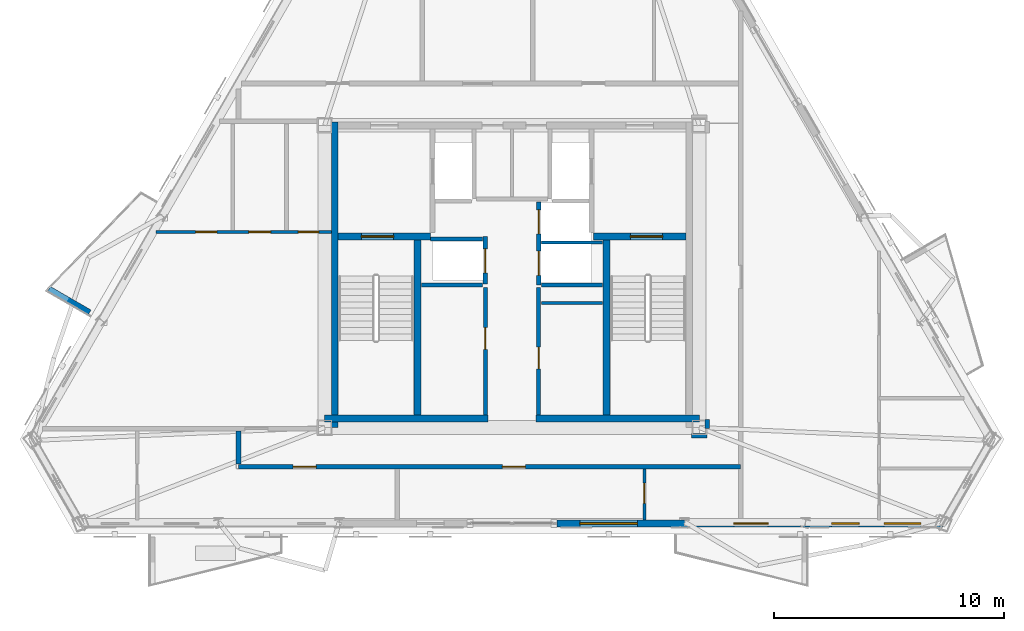
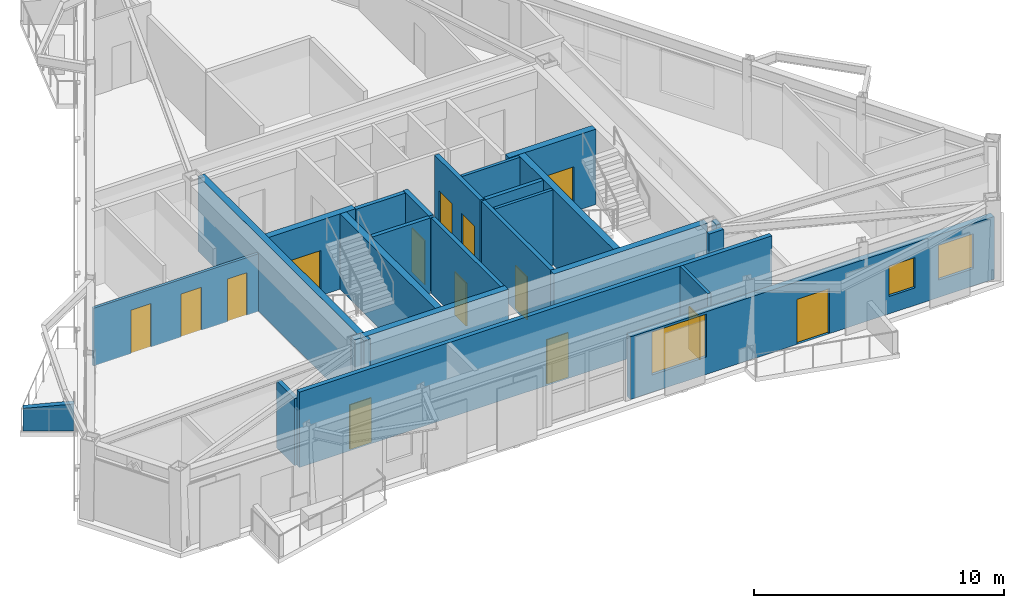
# One storey, part 8 of 15: 24 walls, 14 doors, 3 windows, 17 openings.
"""IFC4 building model written with IfcOpenShell, lengths in metres."""

from ifc_helpers import new_model, si_unit, direction, frame, frame_2d, origin, place, context, subcontext, project, spatial, polyline, rectangle, outline, extrude, material, layer, layer_set, type_object, element, fill, save


model = new_model("IFC4")

# Units and contexts
model_context = context("Model", 3, precision=1e-05, world=origin(), true_north=direction((0.0, 1.0)))
body_context = subcontext(model_context, "Body", "Model", "MODEL_VIEW")
ifc_project = project(units=[si_unit("LENGTHUNIT", "METRE"), si_unit("AREAUNIT", "SQUARE_METRE"), si_unit("VOLUMEUNIT", "CUBIC_METRE"), si_unit("PLANEANGLEUNIT", "RADIAN"), si_unit("MASSUNIT", "GRAM", prefix="KILO")], contexts=[model_context])

# Site, building, storey
site_placement = place(None, origin())
site = spatial("IfcSite", under=ifc_project, at=site_placement, CompositionType="ELEMENT")
building_placement = place(site_placement, origin())
building = spatial("IfcBuilding", under=site, at=building_placement, Name="Oramaril Tower", CompositionType="ELEMENT")
storey_placement = place(building_placement, frame((0.0, 0.0, 288.89990234375)))
storey = spatial("IfcBuildingStorey", under=building, at=storey_placement, Name="L76", CompositionType="ELEMENT", Elevation=288.89990234375)

# Wall, openings, door, windows
ifc_material_1 = material(Name="Warm Cream Limestone", Category="masonry")
ifc_layer_1 = layer(ifc_material_1, 0.2900390625)
ifc_layer_set_1 = layer_set([ifc_layer_1], Name="WT-EXT29")
wall_type_1 = type_object("IfcWallType", Name="WT-EXT29", PredefinedType="SOLIDWALL", material=ifc_layer_set_1)
wall_1_placement = place(storey_placement, frame((39.449951171875, 6.827392578125, 0.0), z_axis=(0.0, 0.0, 1.0), x_axis=(1.0, 0.0, 0.0)))
wall_1 = element("IfcWall", 1, at=wall_1_placement, inside=storey, type_object=wall_type_1, Name="L76 Tower Limestone Facade Wall 2R", PredefinedType="SOLIDWALL", context=body_context, shape_type="SweptSolid", body=[
    extrude(rectangle(XDim=16.81298828125, YDim=0.2900390625, at=frame_2d((8.406494140625, 0.0))), origin(), (0.0, 0.0, 1.0), 3.05810546875),
])
opening_1_placement = place(wall_1_placement, frame((7.698486328125, 0.0, 0.0)))
opening_1 = element("IfcOpeningElement", 2, at=opening_1_placement, cuts=wall_1, Name="Opening D-L76-BAL-S2", PredefinedType="OPENING", context=body_context, shape_type="SweptSolid", body=[
    extrude(rectangle(XDim=1.5, YDim=2.199951171875, at=frame_2d((0.75, 1.10009765625))), frame((0.0, 0.14501953125, 0.0), z_axis=(0.0, -1.0, 0.0), x_axis=(1.0, 0.0, 0.0)), (0.0, 0.0, 1.0), 0.2900390625),
])
opening_2_placement = place(wall_1_placement, frame((1.00390625, 0.0, 0.85009765625)))
opening_2 = element("IfcOpeningElement", 3, at=opening_2_placement, cuts=wall_1, Name="Opening WN-11", PredefinedType="OPENING", context=body_context, shape_type="SweptSolid", body=[
    extrude(rectangle(XDim=2.5, YDim=2.097900390625, at=frame_2d((1.25, 1.048828125))), frame((0.0, 0.14501953125, 0.0), z_axis=(0.0, -1.0, 0.0), x_axis=(1.0, 0.0, 0.0)), (0.0, 0.0, 1.0), 0.2900390625),
])
opening_3_placement = place(wall_1_placement, frame((11.951416015625, 0.0, 0.85009765625)))
opening_3 = element("IfcOpeningElement", 4, at=opening_3_placement, cuts=wall_1, Name="Opening WN-09", PredefinedType="OPENING", context=body_context, shape_type="SweptSolid", body=[
    extrude(rectangle(XDim=1.199951171875, YDim=1.47998046875, at=frame_2d((0.60009765625, 0.739990234375))), frame((0.0, 0.14501953125, 0.0), z_axis=(0.0, -1.0, 0.0), x_axis=(1.0, 0.0, 0.0)), (0.0, 0.0, 1.0), 0.2900390625),
])
opening_4_placement = place(wall_1_placement, frame((14.239501953125, 0.0, 0.85009765625)))
opening_4 = element("IfcOpeningElement", 5, at=opening_4_placement, cuts=wall_1, Name="Opening WN-07", PredefinedType="OPENING", context=body_context, shape_type="SweptSolid", body=[
    extrude(rectangle(XDim=1.60009765625, YDim=1.699951171875, at=frame_2d((0.800048828125, 0.85009765625))), frame((0.0, 0.14501953125, 0.0), z_axis=(0.0, -1.0, 0.0), x_axis=(1.0, 0.0, 0.0)), (0.0, 0.0, 1.0), 0.2900390625),
])
ifc_material_2 = material(Name="Anodised Aluminium 6063-T6", Category="aluminium")
door_type_1 = type_object("IfcDoorType", Name="DT-BAL", OperationType="NOTDEFINED", PredefinedType="DOOR", material=ifc_material_2)
door_1_placement = place(opening_1_placement, origin())
door_1 = element("IfcDoor", 6, at=door_1_placement, inside=storey, type_object=door_type_1, Name="L76 Balcony Glazed Door L76-BAL-S2", OperationType="SINGLE_SWING_RIGHT", OverallHeight=2.199951171875, OverallWidth=1.5, PredefinedType="DOOR", context=body_context, shape_type="SweptSolid", body=[
    extrude(rectangle(XDim=1.5, YDim=2.199951171875, at=frame_2d((0.75, 1.10009765625))), frame((0.0, 0.02490234375, 0.0), z_axis=(0.0, -1.0, 0.0), x_axis=(1.0, 0.0, 0.0)), (0.0, 0.0, 1.0), 0.050048828125),
])
fill(opening_1, door_1)
ifc_material_3 = material(Name="Coastal Low-E Insulated Glass", Category="glass")
window_type_1 = type_object("IfcWindowType", Name="WNT-07", PartitioningType="SINGLE_PANEL", PredefinedType="WINDOW", material=ifc_material_3)
window_1_placement = place(opening_4_placement, origin())
window_1 = element("IfcWindow", 7, at=window_1_placement, inside=storey, type_object=window_type_1, Name="L76 Chicago Bay Window WN-07", OverallHeight=1.699951171875, OverallWidth=1.60009765625, PartitioningType="SINGLE_PANEL", PredefinedType="WINDOW", context=body_context, shape_type="SweptSolid", body=[
    extrude(rectangle(XDim=1.60009765625, YDim=1.699951171875, at=frame_2d((0.800048828125, 0.85009765625))), frame((0.0, 0.030029296875, 0.0), z_axis=(0.0, -1.0, 0.0), x_axis=(1.0, 0.0, 0.0)), (0.0, 0.0, 1.0), 0.06005859375),
])
fill(opening_4, window_1)
ifc_material_4 = material(Name="Coastal Low-E Insulated Glass", Category="glass")
window_type_2 = type_object("IfcWindowType", Name="WNT-09", PartitioningType="SINGLE_PANEL", PredefinedType="WINDOW", material=ifc_material_4)
window_2_placement = place(opening_3_placement, origin())
window_2 = element("IfcWindow", 8, at=window_2_placement, inside=storey, type_object=window_type_2, Name="L76 Chicago Bay Window WN-09", OverallHeight=1.47998046875, OverallWidth=1.199951171875, PartitioningType="SINGLE_PANEL", PredefinedType="WINDOW", context=body_context, shape_type="SweptSolid", body=[
    extrude(rectangle(XDim=1.199951171875, YDim=1.47998046875, at=frame_2d((0.60009765625, 0.739990234375))), frame((0.0, 0.030029296875, 0.0), z_axis=(0.0, -1.0, 0.0), x_axis=(1.0, 0.0, 0.0)), (0.0, 0.0, 1.0), 0.06005859375),
])
fill(opening_3, window_2)
ifc_material_5 = material(Name="Coastal Low-E Insulated Glass", Category="glass")
window_type_3 = type_object("IfcWindowType", Name="WNT-11", PartitioningType="SINGLE_PANEL", PredefinedType="WINDOW", material=ifc_material_5)
window_3_placement = place(opening_2_placement, origin())
window_3 = element("IfcWindow", 9, at=window_3_placement, inside=storey, type_object=window_type_3, Name="L76 Chicago Bay Window WN-11", OverallHeight=2.097900390625, OverallWidth=2.5, PartitioningType="SINGLE_PANEL", PredefinedType="WINDOW", context=body_context, shape_type="SweptSolid", body=[
    extrude(rectangle(XDim=2.5, YDim=2.097900390625, at=frame_2d((1.25, 1.048828125))), frame((0.0, 0.030029296875, 0.0), z_axis=(0.0, -1.0, 0.0), x_axis=(1.0, 0.0, 0.0)), (0.0, 0.0, 1.0), 0.06005859375),
])
fill(opening_2, window_3)

# Wall
ifc_material_6 = material(Name="Concrete C40/50", Category="concrete")
ifc_layer_2 = layer(ifc_material_6, 0.22998046875)
ifc_layer_set_2 = layer_set([ifc_layer_2], Name="WT-PRP23")
wall_type_2 = type_object("IfcWallType", Name="WT-PRP23", PredefinedType="PARAPET", material=ifc_layer_set_2)
wall_2_placement = place(storey_placement, frame((19.1259765625, 16.0166015625, 0.0), z_axis=(0.0, 0.0, 1.0), x_axis=(-0.866012356593, 0.500022597718, 0.0)))
element("IfcWall", 10, at=wall_2_placement, inside=storey, type_object=wall_type_2, Name="L76 Trapezoidal Balcony Frame Cheek L76-BAL-NW2-R", PredefinedType="PARAPET", context=body_context, shape_type="SweptSolid", body=[
    extrude(outline(polyline([(0.0, 0.0), (2.0419921875, 0.0), (2.0419921875, 1.10009765625), (0.0, 1.320068359375), (0.0, 0.0)])), frame((0.0, 0.114990234375, 0.0), z_axis=(0.0, -1.0, 0.0), x_axis=(1.0, 0.0, 0.0)), (0.0, 0.0, 1.0), 0.22998046875),
])

# Wall, openings, doors
ifc_material_7 = material(Name="Acoustic Gypsum Board Partition")
ifc_layer_3 = layer(ifc_material_7, 0.1201171875)
ifc_layer_set_3 = layer_set([ifc_layer_3], Name="WT-PT12")
wall_type_3 = type_object("IfcWallType", Name="WT-PT12", PredefinedType="PARTITIONING", material=ifc_layer_set_3)
wall_3_placement = place(storey_placement, frame((22.005615234375, 19.510009765625, 0.0), z_axis=(0.0, 0.0, 1.0), x_axis=(1.0, 0.0, 0.0)))
wall_3 = element("IfcWall", 11, at=wall_3_placement, inside=storey, type_object=wall_type_3, Name="L76 Interior Partition PT-12", PredefinedType="PARTITIONING", context=body_context, shape_type="SweptSolid", body=[
    extrude(rectangle(XDim=7.63037109375, YDim=0.1201171875, at=frame_2d((3.815185546875, 0.0))), origin(), (0.0, 0.0, 1.0), 2.820068359375),
])
opening_5_placement = place(wall_3_placement, frame((1.733642578125, 0.0, 0.0)))
opening_5 = element("IfcOpeningElement", 12, at=opening_5_placement, cuts=wall_3, Name="Opening D-L76-04", PredefinedType="OPENING", context=body_context, shape_type="SweptSolid", body=[
    extrude(rectangle(XDim=0.919921875, YDim=2.1201171875, at=frame_2d((0.4599609375, 1.06005859375))), frame((0.0, 0.06005859375, 0.0), z_axis=(0.0, -1.0, 0.0), x_axis=(1.0, 0.0, 0.0)), (0.0, 0.0, 1.0), 0.1201171875),
])
opening_6_placement = place(wall_3_placement, frame((4.04150390625, 0.0, 0.0)))
opening_6 = element("IfcOpeningElement", 13, at=opening_6_placement, cuts=wall_3, Name="Opening D-L76-05", PredefinedType="OPENING", context=body_context, shape_type="SweptSolid", body=[
    extrude(rectangle(XDim=0.949951171875, YDim=2.10009765625, at=frame_2d((0.47509765625, 1.050048828125))), frame((0.0, 0.06005859375, 0.0), z_axis=(0.0, -1.0, 0.0), x_axis=(1.0, 0.0, 0.0)), (0.0, 0.0, 1.0), 0.1201171875),
])
opening_7_placement = place(wall_3_placement, frame((6.20458984375, 0.0, 0.0)))
opening_7 = element("IfcOpeningElement", 14, at=opening_7_placement, cuts=wall_3, Name="Opening D-L76-06", PredefinedType="OPENING", context=body_context, shape_type="SweptSolid", body=[
    extrude(rectangle(XDim=0.8798828125, YDim=2.080078125, at=frame_2d((0.43994140625, 1.0400390625))), frame((0.0, 0.06005859375, 0.0), z_axis=(0.0, -1.0, 0.0), x_axis=(1.0, 0.0, 0.0)), (0.0, 0.0, 1.0), 0.1201171875),
])
ifc_material_8 = material(Name="FSC Brazilian Freijo Hardwood", Category="wood")
door_type_2 = type_object("IfcDoorType", Name="DT-BATH", OperationType="NOTDEFINED", PredefinedType="DOOR", material=ifc_material_8)
door_2_placement = place(opening_7_placement, origin())
door_2 = element("IfcDoor", 15, at=door_2_placement, inside=storey, type_object=door_type_2, Name="L76 Flat L76-U3 Bathroom Door D-L76-06", OperationType="SINGLE_SWING_RIGHT", OverallHeight=2.080078125, OverallWidth=0.8798828125, PredefinedType="DOOR", context=body_context, shape_type="SweptSolid", body=[
    extrude(rectangle(XDim=0.8798828125, YDim=2.080078125, at=frame_2d((0.43994140625, 1.0400390625))), frame((0.0, 0.02490234375, 0.0), z_axis=(0.0, -1.0, 0.0), x_axis=(1.0, 0.0, 0.0)), (0.0, 0.0, 1.0), 0.050048828125),
])
fill(opening_7, door_2)
ifc_material_9 = material(Name="FSC Brazilian Freijo Hardwood", Category="wood")
door_type_3 = type_object("IfcDoorType", Name="DT-BED", OperationType="NOTDEFINED", PredefinedType="DOOR", material=ifc_material_9)
door_3_placement = place(opening_5_placement, origin())
door_3 = element("IfcDoor", 16, at=door_3_placement, inside=storey, type_object=door_type_3, Name="L76 Flat L76-U3 Master Bedroom Door D-L76-04", OperationType="SINGLE_SWING_RIGHT", OverallHeight=2.1201171875, OverallWidth=0.919921875, PredefinedType="DOOR", context=body_context, shape_type="SweptSolid", body=[
    extrude(rectangle(XDim=0.919921875, YDim=2.1201171875, at=frame_2d((0.4599609375, 1.06005859375))), frame((0.0, 0.02490234375, 0.0), z_axis=(0.0, -1.0, 0.0), x_axis=(1.0, 0.0, 0.0)), (0.0, 0.0, 1.0), 0.050048828125),
])
fill(opening_5, door_3)
ifc_material_10 = material(Name="FSC Brazilian Freijo Hardwood", Category="wood")
door_type_4 = type_object("IfcDoorType", Name="DT-STDY", OperationType="NOTDEFINED", PredefinedType="DOOR", material=ifc_material_10)
door_4_placement = place(opening_6_placement, origin())
door_4 = element("IfcDoor", 17, at=door_4_placement, inside=storey, type_object=door_type_4, Name="L76 Flat L76-U3 Kitchen Door D-L76-05", OperationType="SINGLE_SWING_LEFT", OverallHeight=2.10009765625, OverallWidth=0.949951171875, PredefinedType="DOOR", context=body_context, shape_type="SweptSolid", body=[
    extrude(rectangle(XDim=0.949951171875, YDim=2.10009765625, at=frame_2d((0.47509765625, 1.050048828125))), frame((0.0, 0.02490234375, 0.0), z_axis=(0.0, -1.0, 0.0), x_axis=(1.0, 0.0, 0.0)), (0.0, 0.0, 1.0), 0.050048828125),
])
fill(opening_6, door_4)

# Walls
ifc_material_11 = material(Name="Acoustic Gypsum Board Partition")
ifc_layer_4 = layer(ifc_material_11, 0.139892578125)
ifc_layer_set_4 = layer_set([ifc_layer_4], Name="WT-PT14")
wall_type_4 = type_object("IfcWallType", Name="WT-PT14", PredefinedType="PARTITIONING", material=ifc_layer_set_4)
for number, where, z_axis, x_axis, name in (
    (18, (38.780029296875, 19.050048828125, 0.0), (0.0, 0.0, 1.0), (1.0, 0.0, 0.0), "L76 High-Rise Lift H2-H3 Divider"),
    (19, (38.780029296875, 16.419921875, 0.0), (0.0, 0.0, 1.0), (1.0, 0.0, 0.0), "L76 Freed Shaft North Closure"),
):
    element("IfcWall", number, at=place(storey_placement, frame(where, z_axis=z_axis, x_axis=x_axis)), inside=storey, type_object=wall_type_4, Name=name, PredefinedType="PARTITIONING", context=body_context, shape_type="SweptSolid", body=[
        extrude(rectangle(XDim=2.659912109375, YDim=0.139892578125, at=frame_2d((1.330078125, 0.0))), origin(), (0.0, 0.0, 1.0), 3.68017578125),
    ])

# Wall, opening, door
wall_4_placement = place(storey_placement, frame((43.260009765625, 6.976318359375, 0.0), z_axis=(0.0, 0.0, 1.0), x_axis=(0.0, 1.0, 0.0)))
wall_4 = element("IfcWall", 20, at=wall_4_placement, inside=storey, type_object=wall_type_4, Name="L76 Interior Partition PT-14", PredefinedType="PARTITIONING", context=body_context, shape_type="SweptSolid", body=[
    extrude(rectangle(XDim=2.2197265625, YDim=0.139892578125, at=frame_2d((1.10986328125, 0.0))), origin(), (0.0, 0.0, 1.0), 3.68017578125),
])
opening_8_placement = place(wall_4_placement, frame((0.722412109375, 0.0, 0.0)))
opening_8 = element("IfcOpeningElement", 21, at=opening_8_placement, cuts=wall_4, Name="Opening D-L76-12", PredefinedType="OPENING", context=body_context, shape_type="SweptSolid", body=[
    extrude(rectangle(XDim=0.8798828125, YDim=2.080078125, at=frame_2d((0.43994140625, 1.0400390625))), frame((0.0, 0.06982421875, 0.0), z_axis=(0.0, -1.0, 0.0), x_axis=(1.0, 0.0, 0.0)), (0.0, 0.0, 1.0), 0.139892578125),
])
door_5_placement = place(opening_8_placement, origin())
door_5 = element("IfcDoor", 22, at=door_5_placement, inside=storey, type_object=door_type_2, Name="L76 Flat L76-U2 Bathroom Door D-L76-12", OperationType="SINGLE_SWING_RIGHT", OverallHeight=2.080078125, OverallWidth=0.8798828125, PredefinedType="DOOR", context=body_context, shape_type="SweptSolid", body=[
    extrude(rectangle(XDim=0.8798828125, YDim=2.080078125, at=frame_2d((0.43994140625, 1.0400390625))), frame((0.0, 0.02490234375, 0.0), z_axis=(0.0, -1.0, 0.0), x_axis=(1.0, 0.0, 0.0)), (0.0, 0.0, 1.0), 0.050048828125),
])
fill(opening_8, door_5)

# Walls
ifc_material_12 = material(Name="Autoclaved Cellular Concrete Block", Category="concrete")
ifc_layer_5 = layer(ifc_material_12, 0.179931640625)
ifc_layer_set_5 = layer_set([ifc_layer_5], Name="WT-PT18")
wall_type_5 = type_object("IfcWallType", Name="WT-PT18", PredefinedType="PARTITIONING", material=ifc_layer_set_5)
wall_5_placement = place(storey_placement, frame((33.949951171875, 19.199951171875, 0.0), z_axis=(0.0, 0.0, 1.0), x_axis=(1.0, 0.0, 0.0)))
element("IfcWall", 23, at=wall_5_placement, inside=storey, type_object=wall_type_5, Name="L76 High-Rise Lift H1 North Shaft Wall", PredefinedType="PARTITIONING", context=body_context, shape_type="SweptSolid", body=[
    extrude(rectangle(XDim=2.27001953125, YDim=0.179931640625, at=frame_2d((1.135009765625, 0.0))), origin(), (0.0, 0.0, 1.0), 3.68017578125),
])
wall_6_placement = place(storey_placement, frame((33.56005859375, 17.199951171875, 0.0), z_axis=(0.0, 0.0, 1.0), x_axis=(1.0, 0.0, 0.0)))
element("IfcWall", 24, at=wall_6_placement, inside=storey, type_object=wall_type_5, Name="L76 High-Rise Lift H1 South Wall", PredefinedType="PARTITIONING", context=body_context, shape_type="SweptSolid", body=[
    extrude(rectangle(XDim=2.659912109375, YDim=0.179931640625, at=frame_2d((1.330078125, 0.0))), origin(), (0.0, 0.0, 1.0), 3.68017578125),
])

# Wall, opening, door
wall_7_placement = place(storey_placement, frame((36.340087890625, 11.550048828125, 0.0), z_axis=(0.0, 0.0, 1.0), x_axis=(0.0, 1.0, 0.0)))
wall_7 = element("IfcWall", 25, at=wall_7_placement, inside=storey, type_object=wall_type_5, Name="L76 Freed Shaft Study East Wall", PredefinedType="PARTITIONING", context=body_context, shape_type="SweptSolid", body=[
    extrude(rectangle(XDim=5.550048828125, YDim=0.179931640625, at=frame_2d((2.77490234375, 0.0))), origin(), (0.0, 0.0, 1.0), 3.68017578125),
])
opening_9_placement = place(wall_7_placement, frame((2.85009765625, 0.0, 0.0)))
opening_9 = element("IfcOpeningElement", 26, at=opening_9_placement, cuts=wall_7, Name="Opening D-L76-FL1", PredefinedType="OPENING", context=body_context, shape_type="SweptSolid", body=[
    extrude(rectangle(XDim=0.949951171875, YDim=2.10009765625, at=frame_2d((0.47509765625, 1.050048828125))), frame((0.0, 0.08984375, 0.0), z_axis=(0.0, -1.0, 0.0), x_axis=(1.0, 0.0, 0.0)), (0.0, 0.0, 1.0), 0.179931640625),
])
door_6_placement = place(opening_9_placement, origin())
door_6 = element("IfcDoor", 27, at=door_6_placement, inside=storey, type_object=door_type_4, Name="L76 L76 Residents Study Alcove Door", OperationType="SINGLE_SWING_LEFT", OverallHeight=2.10009765625, OverallWidth=0.949951171875, PredefinedType="DOOR", context=body_context, shape_type="SweptSolid", body=[
    extrude(rectangle(XDim=0.949951171875, YDim=2.10009765625, at=frame_2d((0.47509765625, 1.050048828125))), frame((0.0, 0.02490234375, 0.0), z_axis=(0.0, -1.0, 0.0), x_axis=(1.0, 0.0, 0.0)), (0.0, 0.0, 1.0), 0.050048828125),
])
fill(opening_9, door_6)

# Wall
wall_8_placement = place(storey_placement, frame((38.780029296875, 17.199951171875, 0.0), z_axis=(0.0, 0.0, 1.0), x_axis=(1.0, 0.0, 0.0)))
element("IfcWall", 28, at=wall_8_placement, inside=storey, type_object=wall_type_5, Name="L76 High-Rise Lift H2 South Wall", PredefinedType="PARTITIONING", context=body_context, shape_type="SweptSolid", body=[
    extrude(rectangle(XDim=2.659912109375, YDim=0.179931640625, at=frame_2d((1.330078125, 0.0))), origin(), (0.0, 0.0, 1.0), 3.68017578125),
])

# Wall, opening, door
wall_9_placement = place(storey_placement, frame((38.659912109375, 11.550048828125, 0.0), z_axis=(0.0, 0.0, 1.0), x_axis=(0.0, 1.0, 0.0)))
wall_9 = element("IfcWall", 29, at=wall_9_placement, inside=storey, type_object=wall_type_5, Name="L76 Freed Shaft Alcove West Wall", PredefinedType="PARTITIONING", context=body_context, shape_type="SweptSolid", body=[
    extrude(rectangle(XDim=5.550048828125, YDim=0.179931640625, at=frame_2d((2.77490234375, 0.0))), origin(), (0.0, 0.0, 1.0), 3.68017578125),
])
opening_10_placement = place(wall_9_placement, frame((2.0, 0.0, 0.0)))
opening_10 = element("IfcOpeningElement", 30, at=opening_10_placement, cuts=wall_9, Name="Opening D-L76-FM1", PredefinedType="OPENING", context=body_context, shape_type="SweptSolid", body=[
    extrude(rectangle(XDim=0.949951171875, YDim=2.10009765625, at=frame_2d((0.47509765625, 1.050048828125))), frame((0.0, 0.08984375, 0.0), z_axis=(0.0, -1.0, 0.0), x_axis=(1.0, 0.0, 0.0)), (0.0, 0.0, 1.0), 0.179931640625),
])
door_7_placement = place(opening_10_placement, origin())
door_7 = element("IfcDoor", 31, at=door_7_placement, inside=storey, type_object=door_type_4, Name="L76 L76 Sky Reading Room Door", OperationType="SINGLE_SWING_RIGHT", OverallHeight=2.10009765625, OverallWidth=0.949951171875, PredefinedType="DOOR", context=body_context, shape_type="SweptSolid", body=[
    extrude(rectangle(XDim=0.949951171875, YDim=2.10009765625, at=frame_2d((0.47509765625, 1.050048828125))), frame((0.0, 0.02490234375, 0.0), z_axis=(0.0, -1.0, 0.0), x_axis=(1.0, 0.0, 0.0)), (0.0, 0.0, 1.0), 0.050048828125),
])
fill(opening_10, door_7)

# Wall, openings, doors
ifc_material_13 = material(Name="Autoclaved Cellular Concrete Block", Category="concrete")
ifc_layer_6 = layer(ifc_material_13, 0.199951171875)
ifc_layer_set_6 = layer_set([ifc_layer_6], Name="WT-PT20")
wall_type_6 = type_object("IfcWallType", Name="WT-PT20", PredefinedType="PARTITIONING", material=ifc_layer_set_6)
wall_10_placement = place(storey_placement, frame((25.60009765625, 9.300048828125, 0.0), z_axis=(0.0, 0.0, 1.0), x_axis=(1.0, 0.0, 0.0)))
wall_10 = element("IfcWall", 32, at=wall_10_placement, inside=storey, type_object=wall_type_6, Name="L76 Interior Partition PT-20", PredefinedType="PARTITIONING", context=body_context, shape_type="SweptSolid", body=[
    extrude(rectangle(XDim=21.849853515625, YDim=0.199951171875, at=frame_2d((10.9248046875, 0.0))), origin(), (0.0, 0.0, 1.0), 3.68017578125),
])
opening_11_placement = place(wall_10_placement, frame((2.375, 0.0, 0.0)))
opening_11 = element("IfcOpeningElement", 33, at=opening_11_placement, cuts=wall_10, Name="Opening D-L76-01", PredefinedType="OPENING", context=body_context, shape_type="SweptSolid", body=[
    extrude(rectangle(XDim=1.0, YDim=2.179931640625, at=frame_2d((0.5, 1.08984375))), frame((0.0, 0.10009765625, 0.0), z_axis=(0.0, -1.0, 0.0), x_axis=(1.0, 0.0, 0.0)), (0.0, 0.0, 1.0), 0.199951171875),
])
opening_12_placement = place(wall_10_placement, frame((11.48291015625, 0.0, 0.0)))
opening_12 = element("IfcOpeningElement", 34, at=opening_12_placement, cuts=wall_10, Name="Opening D-L76-02", PredefinedType="OPENING", context=body_context, shape_type="SweptSolid", body=[
    extrude(rectangle(XDim=1.0, YDim=2.179931640625, at=frame_2d((0.5, 1.08984375))), frame((0.0, 0.10009765625, 0.0), z_axis=(0.0, -1.0, 0.0), x_axis=(1.0, 0.0, 0.0)), (0.0, 0.0, 1.0), 0.199951171875),
])
ifc_material_14 = material(Name="FSC Brazilian Freijo Hardwood", Category="wood")
door_type_5 = type_object("IfcDoorType", Name="DT-APT", OperationType="NOTDEFINED", PredefinedType="DOOR", material=ifc_material_14)
door_8_placement = place(opening_11_placement, origin())
door_8 = element("IfcDoor", 35, at=door_8_placement, inside=storey, type_object=door_type_5, Name="L76 Flat L76-U1 Kitchen and Studio Apartment Door D-L76-01", OperationType="SINGLE_SWING_LEFT", OverallHeight=2.179931640625, OverallWidth=1.0, PredefinedType="DOOR", context=body_context, shape_type="SweptSolid", body=[
    extrude(rectangle(XDim=1.0, YDim=2.179931640625, at=frame_2d((0.5, 1.08984375))), frame((0.0, 0.02490234375, 0.0), z_axis=(0.0, -1.0, 0.0), x_axis=(1.0, 0.0, 0.0)), (0.0, 0.0, 1.0), 0.050048828125),
])
fill(opening_11, door_8)
door_9_placement = place(opening_12_placement, origin())
door_9 = element("IfcDoor", 36, at=door_9_placement, inside=storey, type_object=door_type_5, Name="L76 Flat L76-U2 Kitchen and Studio Apartment Door D-L76-02", OperationType="SINGLE_SWING_RIGHT", OverallHeight=2.179931640625, OverallWidth=1.0, PredefinedType="DOOR", context=body_context, shape_type="SweptSolid", body=[
    extrude(rectangle(XDim=1.0, YDim=2.179931640625, at=frame_2d((0.5, 1.08984375))), frame((0.0, 0.02490234375, 0.0), z_axis=(0.0, -1.0, 0.0), x_axis=(1.0, 0.0, 0.0)), (0.0, 0.0, 1.0), 0.050048828125),
])
fill(opening_12, door_9)

# Walls
wall_11_placement = place(storey_placement, frame((45.304931640625, 10.64990234375, 0.0), z_axis=(0.0, 0.0, 1.0), x_axis=(1.0, 0.0, 0.0)))
element("IfcWall", 37, at=wall_11_placement, inside=storey, type_object=wall_type_6, Name="L76 Interior Partition PT-20", PredefinedType="PARTITIONING", context=body_context, shape_type="SweptSolid", body=[
    extrude(rectangle(XDim=0.690185546875, YDim=0.199951171875, at=frame_2d((0.34521484375, 0.0))), origin(), (0.0, 0.0, 1.0), 3.68017578125),
])
wall_12_placement = place(storey_placement, frame((25.60009765625, 9.404052734375, 0.0), z_axis=(0.0, 0.0, 1.0), x_axis=(0.0, 1.0, 0.0)))
element("IfcWall", 38, at=wall_12_placement, inside=storey, type_object=wall_type_6, Name="L76 Interior Partition PT-20", PredefinedType="PARTITIONING", context=body_context, shape_type="SweptSolid", body=[
    extrude(rectangle(XDim=1.44189453125, YDim=0.199951171875, at=frame_2d((0.720947265625, 0.0))), origin(), (0.0, 0.0, 1.0), 3.26611328125),
])
wall_13_placement = place(storey_placement, frame((45.989990234375, 10.949951171875, 0.0), z_axis=(0.0, 0.0, 1.0), x_axis=(0.0, 1.0, 0.0)))
element("IfcWall", 39, at=wall_13_placement, inside=storey, type_object=wall_type_6, Name="L76 Interior Partition PT-20", PredefinedType="PARTITIONING", context=body_context, shape_type="SweptSolid", body=[
    extrude(rectangle(XDim=0.39013671875, YDim=0.199951171875, at=frame_2d((0.195068359375, 0.0))), origin(), (0.0, 0.0, 1.0), 3.68017578125),
])
ifc_material_15 = material(Name="Concrete C50/60", Category="concrete")
ifc_layer_7 = layer(ifc_material_15, 0.300048828125)
ifc_layer_set_7 = layer_set([ifc_layer_7], Name="WT-SH30")
wall_type_7 = type_object("IfcWallType", Name="WT-SH30", PredefinedType="SHEAR", material=ifc_layer_set_7)
wall_14_placement = place(storey_placement, frame((29.7900390625, 11.0, 0.0), z_axis=(0.0, 0.0, 1.0), x_axis=(0.0, 1.0, 0.0)))
element("IfcWall", 40, at=wall_14_placement, inside=storey, type_object=wall_type_7, Name="L76 Core Shear Wall CW-W", PredefinedType="SHEAR", context=body_context, shape_type="SweptSolid", body=[
    extrude(rectangle(XDim=13.300048828125, YDim=0.300048828125, at=frame_2d((6.64990234375, 0.0))), origin(), (0.0, 0.0, 1.0), 3.68017578125),
])
for number, where, z_axis, x_axis, name in (
    (41, (29.35009765625, 11.389892578125, 0.0), (0.0, 0.0, 1.0), (1.0, 0.0, 0.0), "L76 Core Shear Wall CW-SW"),
    (42, (38.550048828125, 11.389892578125, 0.0), (0.0, 0.0, 1.0), (1.0, 0.0, 0.0), "L76 Core Shear Wall CW-SE"),
):
    element("IfcWall", number, at=place(storey_placement, frame(where, z_axis=z_axis, x_axis=x_axis)), inside=storey, type_object=wall_type_7, Name=name, PredefinedType="SHEAR", context=body_context, shape_type="SweptSolid", body=[
        extrude(rectangle(XDim=7.099853515625, YDim=0.300048828125, at=frame_2d((3.5498046875, 0.0))), origin(), (0.0, 0.0, 1.0), 3.68017578125),
    ])

# Wall, opening, door
wall_15_placement = place(storey_placement, frame((29.93994140625, 19.31005859375, 0.0), z_axis=(0.0, 0.0, 1.0), x_axis=(1.0, 0.0, 0.0)))
wall_15 = element("IfcWall", 43, at=wall_15_placement, inside=storey, type_object=wall_type_7, Name="L76 Core Shear Wall CW-ST1N", PredefinedType="SHEAR", context=body_context, shape_type="SweptSolid", body=[
    extrude(rectangle(XDim=4.010009765625, YDim=0.300048828125, at=frame_2d((2.0048828125, 0.0))), origin(), (0.0, 0.0, 1.0), 3.68017578125),
])
opening_13_placement = place(wall_15_placement, frame((1.010009765625, 0.0, 0.0)))
opening_13 = element("IfcOpeningElement", 44, at=opening_13_placement, cuts=wall_15, Name="Opening D-L76-ST1", PredefinedType="OPENING", context=body_context, shape_type="SweptSolid", body=[
    extrude(rectangle(XDim=1.39990234375, YDim=2.199951171875, at=frame_2d((0.699951171875, 1.10009765625))), frame((0.0, 0.14990234375, 0.0), z_axis=(0.0, -1.0, 0.0), x_axis=(1.0, 0.0, 0.0)), (0.0, 0.0, 1.0), 0.300048828125),
])
ifc_material_16 = material(Name="Painted Galvanised Steel", Category="steel")
door_type_6 = type_object("IfcDoorType", Name="DT-ST", OperationType="NOTDEFINED", PredefinedType="DOOR", material=ifc_material_16)
door_10_placement = place(opening_13_placement, origin())
door_10 = element("IfcDoor", 45, at=door_10_placement, inside=storey, type_object=door_type_6, Name="L76 Protected Stair ST-1 Fire Door", OperationType="SINGLE_SWING_LEFT", OverallHeight=2.199951171875, OverallWidth=1.39990234375, PredefinedType="DOOR", context=body_context, shape_type="SweptSolid", body=[
    extrude(rectangle(XDim=1.39990234375, YDim=2.199951171875, at=frame_2d((0.699951171875, 1.10009765625))), frame((0.0, 0.02490234375, 0.0), z_axis=(0.0, -1.0, 0.0), x_axis=(1.0, 0.0, 0.0)), (0.0, 0.0, 1.0), 0.050048828125),
])
fill(opening_13, door_10)

wall_16_placement = place(storey_placement, frame((41.050048828125, 19.31005859375, 0.0), z_axis=(0.0, 0.0, 1.0), x_axis=(1.0, 0.0, 0.0)))
wall_16 = element("IfcWall", 46, at=wall_16_placement, inside=storey, type_object=wall_type_7, Name="L76 Core Shear Wall CW-ST2N", PredefinedType="SHEAR", context=body_context, shape_type="SweptSolid", body=[
    extrude(rectangle(XDim=4.010009765625, YDim=0.300048828125, at=frame_2d((2.0048828125, 0.0))), origin(), (0.0, 0.0, 1.0), 3.68017578125),
])
opening_14_placement = place(wall_16_placement, frame((1.60009765625, 0.0, 0.0)))
opening_14 = element("IfcOpeningElement", 47, at=opening_14_placement, cuts=wall_16, Name="Opening D-L76-ST2", PredefinedType="OPENING", context=body_context, shape_type="SweptSolid", body=[
    extrude(rectangle(XDim=1.39990234375, YDim=2.199951171875, at=frame_2d((0.699951171875, 1.10009765625))), frame((0.0, 0.14990234375, 0.0), z_axis=(0.0, -1.0, 0.0), x_axis=(1.0, 0.0, 0.0)), (0.0, 0.0, 1.0), 0.300048828125),
])
door_11_placement = place(opening_14_placement, origin())
door_11 = element("IfcDoor", 48, at=door_11_placement, inside=storey, type_object=door_type_6, Name="L76 Protected Stair ST-2 Fire Door", OperationType="SINGLE_SWING_RIGHT", OverallHeight=2.199951171875, OverallWidth=1.39990234375, PredefinedType="DOOR", context=body_context, shape_type="SweptSolid", body=[
    extrude(rectangle(XDim=1.39990234375, YDim=2.199951171875, at=frame_2d((0.699951171875, 1.10009765625))), frame((0.0, 0.02490234375, 0.0), z_axis=(0.0, -1.0, 0.0), x_axis=(1.0, 0.0, 0.0)), (0.0, 0.0, 1.0), 0.050048828125),
])
fill(opening_14, door_11)

# Walls
for number, where, z_axis, x_axis, name in (
    (49, (33.3798828125, 11.5400390625, 0.0), (0.0, 0.0, 1.0), (0.0, 1.0, 0.0), "L76 Core Shear Wall CW-ST1E"),
    (50, (41.6201171875, 11.5400390625, 0.0), (0.0, 0.0, 1.0), (0.0, 1.0, 0.0), "L76 Core Shear Wall CW-ST2W"),
):
    element("IfcWall", number, at=place(storey_placement, frame(where, z_axis=z_axis, x_axis=x_axis)), inside=storey, type_object=wall_type_7, Name=name, PredefinedType="SHEAR", context=body_context, shape_type="SweptSolid", body=[
        extrude(rectangle(XDim=7.619873046875, YDim=0.300048828125, at=frame_2d((3.81005859375, 0.0))), origin(), (0.0, 0.0, 1.0), 3.68017578125),
    ])

# Wall, opening, door
ifc_material_17 = material(Name="Autoclaved Cellular Concrete Block", Category="concrete")
ifc_layer_8 = layer(ifc_material_17, 0.199951171875)
ifc_layer_set_8 = layer_set([ifc_layer_8], Name="WT-SHF20")
wall_type_8 = type_object("IfcWallType", Name="WT-SHF20", PredefinedType="PARTITIONING", material=ifc_layer_set_8)
wall_17_placement = place(storey_placement, frame((36.340087890625, 17.25, 0.0), z_axis=(0.0, 0.0, 1.0), x_axis=(0.0, 1.0, 0.0)))
wall_17 = element("IfcWall", 51, at=wall_17_placement, inside=storey, type_object=wall_type_8, Name="L76 High-Rise Lift H1 Front Wall", PredefinedType="PARTITIONING", context=body_context, shape_type="SweptSolid", body=[
    extrude(rectangle(XDim=2.070068359375, YDim=0.199951171875, at=frame_2d((1.03515625, 0.0))), origin(), (0.0, 0.0, 1.0), 3.68017578125),
])
opening_15_placement = place(wall_17_placement, frame((0.47509765625, 0.0, 0.0)))
opening_15 = element("IfcOpeningElement", 52, at=opening_15_placement, cuts=wall_17, Name="Opening LD-L76-LP-H1", PredefinedType="OPENING", context=body_context, shape_type="SweptSolid", body=[
    extrude(rectangle(XDim=1.050048828125, YDim=2.14990234375, at=frame_2d((0.52490234375, 1.074951171875))), frame((0.0, 0.10009765625, 0.0), z_axis=(0.0, -1.0, 0.0), x_axis=(1.0, 0.0, 0.0)), (0.0, 0.0, 1.0), 0.199951171875),
])
ifc_material_18 = material(Name="Stainless Steel 316L", Category="steel")
door_type_7 = type_object("IfcDoorType", Name="DT-LD2", OperationType="NOTDEFINED", PredefinedType="DOOR", material=ifc_material_18)
door_12_placement = place(opening_15_placement, origin())
door_12 = element("IfcDoor", 53, at=door_12_placement, inside=storey, type_object=door_type_7, Name="L76 Lift LP-H1 Sliding Landing Door", OperationType="SLIDING_TO_LEFT", OverallHeight=2.14990234375, OverallWidth=1.050048828125, PredefinedType="DOOR", context=body_context, shape_type="SweptSolid", body=[
    extrude(rectangle(XDim=1.050048828125, YDim=2.14990234375, at=frame_2d((0.52490234375, 1.074951171875))), frame((0.0, 0.02490234375, 0.0), z_axis=(0.0, -1.0, 0.0), x_axis=(1.0, 0.0, 0.0)), (0.0, 0.0, 1.0), 0.050048828125),
])
fill(opening_15, door_12)

# Wall, openings, doors
wall_18_placement = place(storey_placement, frame((38.659912109375, 17.199951171875, 0.0), z_axis=(0.0, 0.0, 1.0), x_axis=(0.0, 1.0, 0.0)))
wall_18 = element("IfcWall", 54, at=wall_18_placement, inside=storey, type_object=wall_type_8, Name="L76 High-Rise Lift H2-H3 Front Wall", PredefinedType="PARTITIONING", context=body_context, shape_type="SweptSolid", body=[
    extrude(rectangle(XDim=3.6201171875, YDim=0.199951171875, at=frame_2d((1.81005859375, 0.0))), origin(), (0.0, 0.0, 1.0), 3.68017578125),
])
opening_16_placement = place(wall_18_placement, frame((0.425048828125, 0.0, 0.0)))
opening_16 = element("IfcOpeningElement", 55, at=opening_16_placement, cuts=wall_18, Name="Opening LD-L76-LP-H2", PredefinedType="OPENING", context=body_context, shape_type="SweptSolid", body=[
    extrude(rectangle(XDim=1.050048828125, YDim=2.14990234375, at=frame_2d((0.52490234375, 1.074951171875))), frame((0.0, 0.10009765625, 0.0), z_axis=(0.0, -1.0, 0.0), x_axis=(1.0, 0.0, 0.0)), (0.0, 0.0, 1.0), 0.199951171875),
])
opening_17_placement = place(wall_18_placement, frame((2.22509765625, 0.0, 0.0)))
opening_17 = element("IfcOpeningElement", 56, at=opening_17_placement, cuts=wall_18, Name="Opening LD-L76-LP-H3", PredefinedType="OPENING", context=body_context, shape_type="SweptSolid", body=[
    extrude(rectangle(XDim=1.050048828125, YDim=2.14990234375, at=frame_2d((0.52490234375, 1.074951171875))), frame((0.0, 0.10009765625, 0.0), z_axis=(0.0, -1.0, 0.0), x_axis=(1.0, 0.0, 0.0)), (0.0, 0.0, 1.0), 0.199951171875),
])
door_13_placement = place(opening_16_placement, origin())
door_13 = element("IfcDoor", 57, at=door_13_placement, inside=storey, type_object=door_type_7, Name="L76 Lift LP-H2 Sliding Landing Door", OperationType="SLIDING_TO_RIGHT", OverallHeight=2.14990234375, OverallWidth=1.050048828125, PredefinedType="DOOR", context=body_context, shape_type="SweptSolid", body=[
    extrude(rectangle(XDim=1.050048828125, YDim=2.14990234375, at=frame_2d((0.52490234375, 1.074951171875))), frame((0.0, 0.02490234375, 0.0), z_axis=(0.0, -1.0, 0.0), x_axis=(1.0, 0.0, 0.0)), (0.0, 0.0, 1.0), 0.050048828125),
])
fill(opening_16, door_13)
door_14_placement = place(opening_17_placement, origin())
door_14 = element("IfcDoor", 58, at=door_14_placement, inside=storey, type_object=door_type_7, Name="L76 Lift LP-H3 Sliding Landing Door", OperationType="SLIDING_TO_LEFT", OverallHeight=2.14990234375, OverallWidth=1.050048828125, PredefinedType="DOOR", context=body_context, shape_type="SweptSolid", body=[
    extrude(rectangle(XDim=1.050048828125, YDim=2.14990234375, at=frame_2d((0.52490234375, 1.074951171875))), frame((0.0, 0.02490234375, 0.0), z_axis=(0.0, -1.0, 0.0), x_axis=(1.0, 0.0, 0.0)), (0.0, 0.0, 1.0), 0.050048828125),
])
fill(opening_17, door_14)

save(model, "model.ifc")
